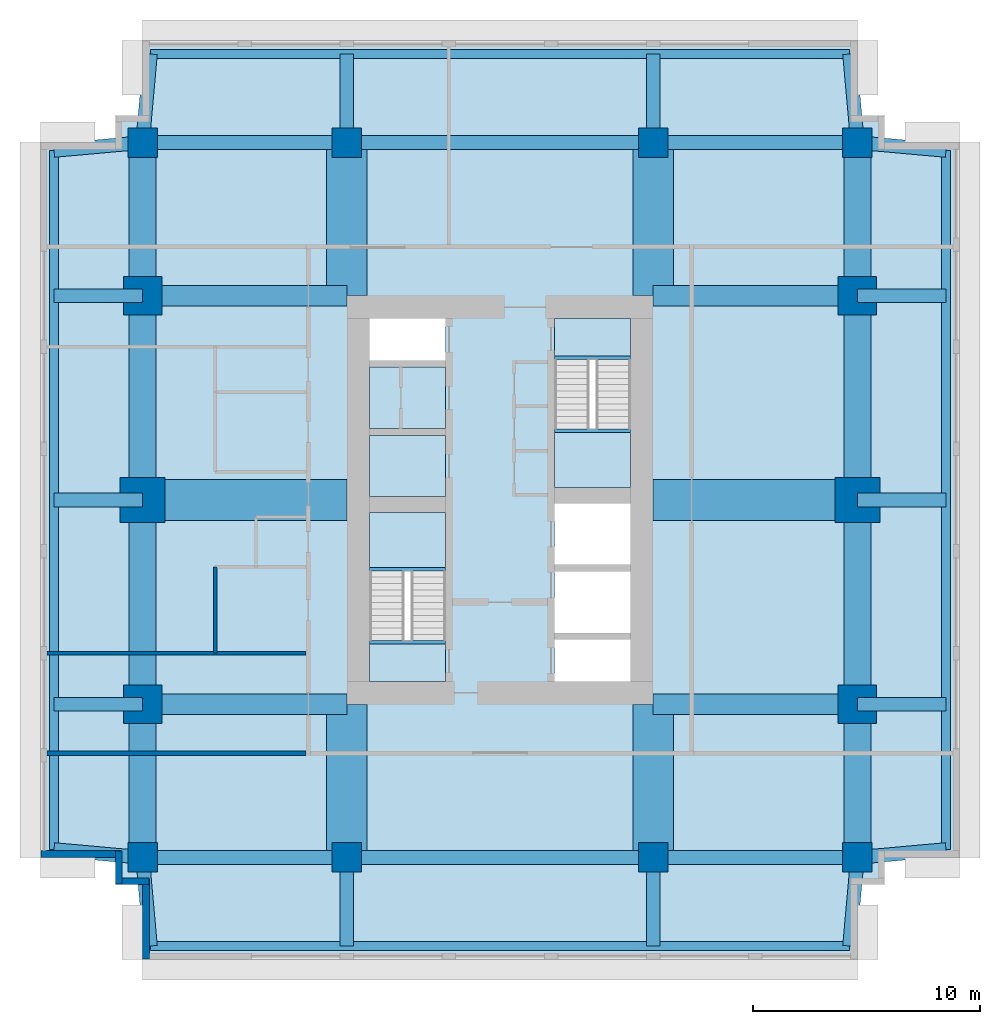
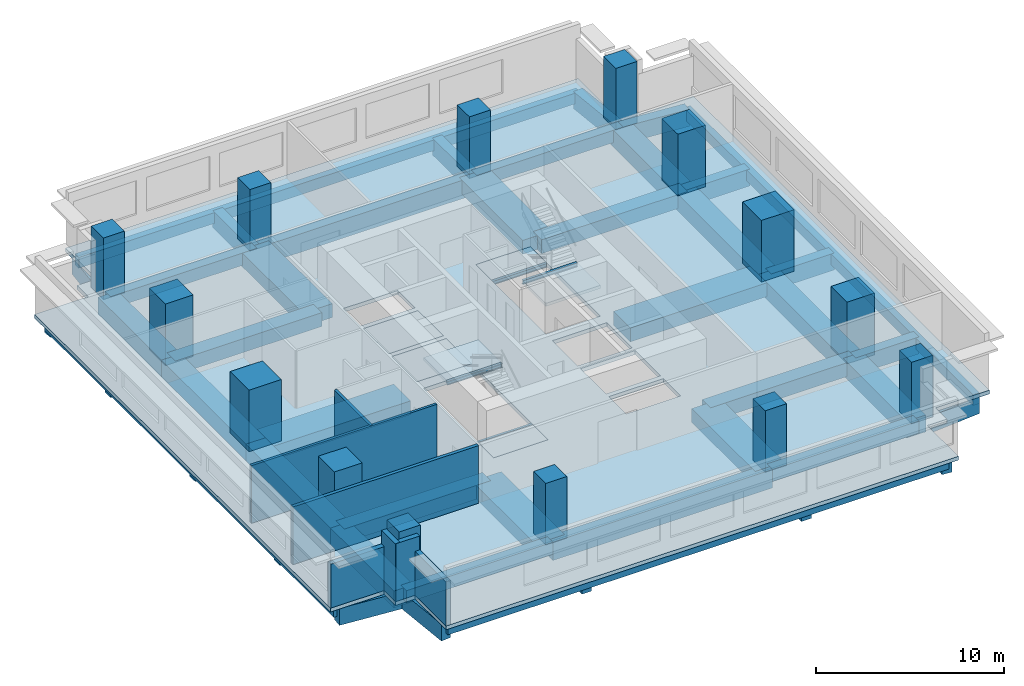
# One storey, part 1 of 5: 50 beams, 14 columns, 7 slabs, 7 walls, 2 elements without a shape of their own.
"""IFC4 building model written with IfcOpenShell, lengths in metres."""

from ifc_helpers import new_model, si_unit, direction, frame, frame_2d, origin, origin_2d, place, context, subcontext, project, spatial, polyline, rectangle, i_section, outline, extrude, material, layer, layer_set, material_profile, profile_set, type_object, element, aggregate, save


model = new_model("IFC4")

# Units and contexts
model_context = context("Model", 3, precision=1e-05, world=origin(), true_north=direction((0.0, 1.0)))
body_context = subcontext(model_context, "Body", "Model", "MODEL_VIEW")
ifc_project = project(units=[si_unit("LENGTHUNIT", "METRE"), si_unit("AREAUNIT", "SQUARE_METRE"), si_unit("VOLUMEUNIT", "CUBIC_METRE"), si_unit("PLANEANGLEUNIT", "RADIAN"), si_unit("MASSUNIT", "GRAM", prefix="KILO")], contexts=[model_context])

# Site, building, storey
site_placement = place(None, origin())
site = spatial("IfcSite", under=ifc_project, at=site_placement, CompositionType="ELEMENT")
building_placement = place(site_placement, origin())
building = spatial("IfcBuilding", under=site, at=building_placement, Name="Namib Vertical Campus", CompositionType="ELEMENT")
storey_placement = place(building_placement, frame((0.0, 0.0, 289.0)))
storey = spatial("IfcBuildingStorey", under=building, at=storey_placement, Name="L68", CompositionType="ELEMENT", Elevation=289.0)

# Columns
ifc_material_1 = material(Name="Concrete C60/75", Category="concrete")
ifc_material_profile_1 = material_profile(ifc_material_1, rectangle(XDim=1.300048828125, YDim=1.300048828125, at=origin_2d()))
ifc_profile_set_1 = profile_set([ifc_material_profile_1], Name="Concrete C60/75")
column_type_1 = type_object("IfcColumnType", Name="Column RC 1300x1300", PredefinedType="COLUMN", material=ifc_profile_set_1)
for number, where, z_axis, x_axis, name in (
    (1, (4.5, 4.5, 0.0), (0.0, 0.0, 1.0), (1.0, 0.0, 0.0), "Column C130 L68"),
    (2, (13.5, 4.5, 0.0), (0.0, 0.0, 1.0), (1.0, 0.0, 0.0), "Column C130 L68"),
    (3, (27.0, 4.5, 0.0), (0.0, 0.0, 1.0), (1.0, 0.0, 0.0), "Column C130 L68"),
    (4, (36.0, 4.5, 0.0), (0.0, 0.0, 1.0), (1.0, 0.0, 0.0), "Column C130 L68"),
    (5, (4.5, 36.0, 0.0), (0.0, 0.0, 1.0), (1.0, 0.0, 0.0), "Column C130 L68"),
    (6, (13.5, 36.0, 0.0), (0.0, 0.0, 1.0), (1.0, 0.0, 0.0), "Column C130 L68"),
    (7, (27.0, 36.0, 0.0), (0.0, 0.0, 1.0), (1.0, 0.0, 0.0), "Column C130 L68"),
    (8, (36.0, 36.0, 0.0), (0.0, 0.0, 1.0), (1.0, 0.0, 0.0), "Column C130 L68"),
):
    element("IfcColumn", number, at=place(storey_placement, frame(where, z_axis=z_axis, x_axis=x_axis)), inside=storey, type_object=column_type_1, Name=name, PredefinedType="COLUMN", context=body_context, shape_type="SweptSolid", body=[
        extrude(rectangle(XDim=1.300048828125, YDim=1.300048828125, at=origin_2d()), origin(), (0.0, 0.0, 1.0), 4.0),
    ])
ifc_material_2 = material(Name="Concrete C60/75", Category="concrete")
ifc_material_profile_2 = material_profile(ifc_material_2, rectangle(XDim=1.699951171875, YDim=1.699951171875, at=origin_2d()))
ifc_profile_set_2 = profile_set([ifc_material_profile_2], Name="Concrete C60/75")
column_type_2 = type_object("IfcColumnType", Name="Column RC 1700x1700", PredefinedType="COLUMN", material=ifc_profile_set_2)
for number, where, z_axis, x_axis, name in (
    (9, (4.5, 11.25, 0.0), (0.0, 0.0, 1.0), (1.0, 0.0, 0.0), "Column C170 L68"),
    (10, (36.0, 11.25, 0.0), (0.0, 0.0, 1.0), (1.0, 0.0, 0.0), "Column C170 L68"),
    (11, (4.5, 29.25, 0.0), (0.0, 0.0, 1.0), (1.0, 0.0, 0.0), "Column C170 L68"),
    (12, (36.0, 29.25, 0.0), (0.0, 0.0, 1.0), (1.0, 0.0, 0.0), "Column C170 L68"),
):
    element("IfcColumn", number, at=place(storey_placement, frame(where, z_axis=z_axis, x_axis=x_axis)), inside=storey, type_object=column_type_2, Name=name, PredefinedType="COLUMN", context=body_context, shape_type="SweptSolid", body=[
        extrude(rectangle(XDim=1.699951171875, YDim=1.699951171875, at=origin_2d()), origin(), (0.0, 0.0, 1.0), 4.0),
    ])
ifc_material_3 = material(Name="Concrete C60/75", Category="concrete")
ifc_material_profile_3 = material_profile(ifc_material_3, rectangle(XDim=2.0, YDim=2.0, at=origin_2d()))
ifc_profile_set_3 = profile_set([ifc_material_profile_3], Name="Concrete C60/75")
column_type_3 = type_object("IfcColumnType", Name="Column RC 2000x2000", PredefinedType="COLUMN", material=ifc_profile_set_3)
for number, where, z_axis, x_axis, name in (
    (13, (4.5, 20.25, 0.0), (0.0, 0.0, 1.0), (1.0, 0.0, 0.0), "Column C200 L68"),
    (14, (36.0, 20.25, 0.0), (0.0, 0.0, 1.0), (1.0, 0.0, 0.0), "Column C200 L68"),
):
    element("IfcColumn", number, at=place(storey_placement, frame(where, z_axis=z_axis, x_axis=x_axis)), inside=storey, type_object=column_type_3, Name=name, PredefinedType="COLUMN", context=body_context, shape_type="SweptSolid", body=[
        extrude(rectangle(XDim=2.0, YDim=2.0, at=origin_2d()), origin(), (0.0, 0.0, 1.0), 4.0),
    ])

# Beams
ifc_material_4 = material(Name="Concrete C40/50", Category="concrete")
ifc_material_profile_4 = material_profile(ifc_material_4, rectangle(XDim=0.39990234375, YDim=0.699951171875, at=origin_2d()))
ifc_profile_set_4 = profile_set([ifc_material_profile_4], Name="Concrete C40/50")
beam_type_1 = type_object("IfcBeamType", Name="Edge beam RC 400x700", PredefinedType="SPANDREL", material=ifc_profile_set_4)
for number, where, z_axis, x_axis, name in (
    (15, (4.85009765625, 0.60009765625, -0.60009765625), (1.0, 0.0, 0.0), (0.0, 1.0, 0.0), "Beam B4 L68"),
    (16, (4.85009765625, 39.89990234375, -0.60009765625), (1.0, 0.0, 0.0), (0.0, 1.0, 0.0), "Beam B4 L68"),
    (17, (0.60009765625, 4.85009765625, -0.60009765625), (0.0, 1.0, 0.0), (-1.0, 0.0, 0.0), "Beam B4 L68"),
    (18, (39.89990234375, 4.85009765625, -0.60009765625), (0.0, 1.0, 0.0), (-1.0, 0.0, 0.0), "Beam B4 L68"),
):
    element("IfcBeam", number, at=place(storey_placement, frame(where, z_axis=z_axis, x_axis=x_axis)), inside=storey, type_object=beam_type_1, Name=name, PredefinedType="SPANDREL", context=body_context, shape_type="SweptSolid", body=[
        extrude(rectangle(XDim=0.39990234375, YDim=0.699951171875, at=origin_2d()), origin(), (0.0, 0.0, 1.0), 30.7998046875),
    ])
ifc_material_5 = material(Name="Concrete C40/50", Category="concrete")
ifc_material_profile_5 = material_profile(ifc_material_5, rectangle(XDim=0.89990234375, YDim=0.89990234375, at=origin_2d()))
ifc_profile_set_5 = profile_set([ifc_material_profile_5], Name="Concrete C40/50")
beam_type_2 = type_object("IfcBeamType", Name="Face girder RC 900x900", PredefinedType="BEAM", material=ifc_profile_set_5)
for number, where, z_axis, x_axis, name in (
    (19, (4.5, 11.25, -0.699951171875), (1.0, 0.0, 0.0), (0.0, 1.0, 0.0), "Beam B10 L68"),
    (20, (36.0, 11.25, -0.699951171875), (-1.0, 0.0, 0.0), (0.0, -1.0, 0.0), "Beam B10 L68"),
    (21, (4.5, 29.25, -0.699951171875), (1.0, 0.0, 0.0), (0.0, 1.0, 0.0), "Beam B10 L68"),
    (22, (36.0, 29.25, -0.699951171875), (-1.0, 0.0, 0.0), (0.0, -1.0, 0.0), "Beam B10 L68"),
):
    element("IfcBeam", number, at=place(storey_placement, frame(where, z_axis=z_axis, x_axis=x_axis)), inside=storey, type_object=beam_type_2, Name=name, PredefinedType="BEAM", context=body_context, shape_type="SweptSolid", body=[
        extrude(rectangle(XDim=0.89990234375, YDim=0.89990234375, at=origin_2d()), origin(), (0.0, 0.0, 1.0), 9.0),
    ])
ifc_material_6 = material(Name="Concrete C40/50", Category="concrete")
ifc_material_profile_6 = material_profile(ifc_material_6, rectangle(XDim=1.199951171875, YDim=1.10009765625, at=origin_2d()))
ifc_profile_set_6 = profile_set([ifc_material_profile_6], Name="Concrete C40/50")
beam_type_3 = type_object("IfcBeamType", Name="Face ring beam RC 1200x1100", PredefinedType="BEAM", material=ifc_profile_set_6)
beam_1_placement = place(storey_placement, frame((4.5, 4.5, -0.800048828125), z_axis=(0.0, 1.0, 0.0), x_axis=(-1.0, 0.0, 0.0)))
element("IfcBeam", 23, at=beam_1_placement, inside=storey, type_object=beam_type_3, Name="Beam B11 L68", PredefinedType="BEAM", context=body_context, shape_type="SweptSolid", body=[
    extrude(rectangle(XDim=1.199951171875, YDim=1.10009765625, at=origin_2d()), origin(), (0.0, 0.0, 1.0), 6.75),
])
for number, where, z_axis, x_axis, name in (
    (24, (4.5, 11.25, -0.800048828125), (0.0, 1.0, 0.0), (-1.0, 0.0, 0.0), "Beam B11 L68"),
    (25, (4.5, 20.25, -0.800048828125), (0.0, 1.0, 0.0), (-1.0, 0.0, 0.0), "Beam B11 L68"),
):
    element("IfcBeam", number, at=place(storey_placement, frame(where, z_axis=z_axis, x_axis=x_axis)), inside=storey, type_object=beam_type_3, Name=name, PredefinedType="BEAM", context=body_context, shape_type="SweptSolid", body=[
        extrude(rectangle(XDim=1.199951171875, YDim=1.10009765625, at=origin_2d()), origin(), (0.0, 0.0, 1.0), 9.0),
    ])
for number, where, z_axis, x_axis, name in (
    (26, (4.5, 29.25, -0.800048828125), (0.0, 1.0, 0.0), (-1.0, 0.0, 0.0), "Beam B11 L68"),
    (27, (36.0, 4.5, -0.800048828125), (0.0, 1.0, 0.0), (-1.0, 0.0, 0.0), "Beam B11 L68"),
):
    element("IfcBeam", number, at=place(storey_placement, frame(where, z_axis=z_axis, x_axis=x_axis)), inside=storey, type_object=beam_type_3, Name=name, PredefinedType="BEAM", context=body_context, shape_type="SweptSolid", body=[
        extrude(rectangle(XDim=1.199951171875, YDim=1.10009765625, at=origin_2d()), origin(), (0.0, 0.0, 1.0), 6.75),
    ])
for number, where, z_axis, x_axis, name in (
    (28, (36.0, 11.25, -0.800048828125), (0.0, 1.0, 0.0), (-1.0, 0.0, 0.0), "Beam B11 L68"),
    (29, (36.0, 20.25, -0.800048828125), (0.0, 1.0, 0.0), (-1.0, 0.0, 0.0), "Beam B11 L68"),
):
    element("IfcBeam", number, at=place(storey_placement, frame(where, z_axis=z_axis, x_axis=x_axis)), inside=storey, type_object=beam_type_3, Name=name, PredefinedType="BEAM", context=body_context, shape_type="SweptSolid", body=[
        extrude(rectangle(XDim=1.199951171875, YDim=1.10009765625, at=origin_2d()), origin(), (0.0, 0.0, 1.0), 9.0),
    ])
beam_2_placement = place(storey_placement, frame((36.0, 29.25, -0.800048828125), z_axis=(0.0, 1.0, 0.0), x_axis=(-1.0, 0.0, 0.0)))
element("IfcBeam", 30, at=beam_2_placement, inside=storey, type_object=beam_type_3, Name="Beam B11 L68", PredefinedType="BEAM", context=body_context, shape_type="SweptSolid", body=[
    extrude(rectangle(XDim=1.199951171875, YDim=1.10009765625, at=origin_2d()), origin(), (0.0, 0.0, 1.0), 6.75),
])
ifc_material_7 = material(Name="Steel S355JR", Category="steel")
ifc_material_profile_7 = material_profile(ifc_material_7, i_section(OverallWidth=0.14599609375, OverallDepth=0.25146484375, WebThickness=0.006103515625, FlangeThickness=0.008544921875, FilletRadius=0.007568359375, at=origin_2d()))
ifc_profile_set_7 = profile_set([ifc_material_profile_7], Name="Steel S355JR")
beam_type_4 = type_object("IfcBeamType", Name="Landing trimmer UB 254x146x31", PredefinedType="BEAM", material=ifc_profile_set_7)
for number, where, z_axis, x_axis, name in (
    (31, (14.5, 13.97705078125, -0.125732421875), (1.0, 0.0, 0.0), (0.0, 1.0, 0.0), "Landing trimmer LT1 A-S1 L68 1"),
    (32, (14.5, 17.203125, 1.874267578125), (1.0, 0.0, 0.0), (0.0, 1.0, 0.0), "Landing trimmer LT1 A-S1 L68 2"),
    (33, (22.64990234375, 26.52294921875, -0.125732421875), (1.0, 0.0, 0.0), (0.0, 1.0, 0.0), "Landing trimmer LT1 A-S2 L68 1"),
    (34, (22.64990234375, 23.296875, 1.874267578125), (1.0, 0.0, 0.0), (0.0, 1.0, 0.0), "Landing trimmer LT1 A-S2 L68 2"),
):
    element("IfcBeam", number, at=place(storey_placement, frame(where, z_axis=z_axis, x_axis=x_axis)), inside=storey, type_object=beam_type_4, Name=name, PredefinedType="BEAM", context=body_context, shape_type="SweptSolid", body=[
        extrude(i_section(OverallWidth=0.14599609375, OverallDepth=0.25146484375, WebThickness=0.006103515625, FlangeThickness=0.008544921875, FilletRadius=0.007568359375, at=origin_2d()), origin(), (0.0, 0.0, 1.0), 3.35009765625),
    ])
ifc_material_8 = material(Name="Concrete C40/50", Category="concrete")
ifc_material_profile_8 = material_profile(ifc_material_8, rectangle(XDim=0.60009765625, YDim=1.199951171875, at=origin_2d()))
ifc_profile_set_8 = profile_set([ifc_material_profile_8], Name="Concrete C40/50")
beam_type_5 = type_object("IfcBeamType", Name="Long-span ring beam RC 600x1200", PredefinedType="BEAM", material=ifc_profile_set_8)
for number, where, z_axis, x_axis, name in (
    (35, (13.5, 4.5, -0.85009765625), (1.0, 0.0, 0.0), (0.0, 1.0, 0.0), "Beam B9 L68"),
    (36, (13.5, 36.0, -0.85009765625), (1.0, 0.0, 0.0), (0.0, 1.0, 0.0), "Beam B9 L68"),
):
    element("IfcBeam", number, at=place(storey_placement, frame(where, z_axis=z_axis, x_axis=x_axis)), inside=storey, type_object=beam_type_5, Name=name, PredefinedType="BEAM", context=body_context, shape_type="SweptSolid", body=[
        extrude(rectangle(XDim=0.60009765625, YDim=1.199951171875, at=origin_2d()), origin(), (0.0, 0.0, 1.0), 13.5),
    ])
ifc_material_9 = material(Name="Concrete C40/50", Category="concrete")
ifc_material_profile_9 = material_profile(ifc_material_9, rectangle(XDim=1.800048828125, YDim=0.89990234375, at=origin_2d()))
ifc_profile_set_9 = profile_set([ifc_material_profile_9], Name="Concrete C40/50")
beam_type_6 = type_object("IfcBeamType", Name="Outrigger line girder RC 1800x900", PredefinedType="BEAM", material=ifc_profile_set_9)
for number, where, z_axis, x_axis, name in (
    (37, (13.5, 4.5, -0.699951171875), (0.0, 1.0, 0.0), (-1.0, 0.0, 0.0), "Beam B12 L68"),
    (38, (13.5, 36.0, -0.699951171875), (0.0, -1.0, 0.0), (1.0, 0.0, 0.0), "Beam B12 L68"),
    (39, (27.0, 4.5, -0.699951171875), (0.0, 1.0, 0.0), (-1.0, 0.0, 0.0), "Beam B12 L68"),
    (40, (27.0, 36.0, -0.699951171875), (0.0, -1.0, 0.0), (1.0, 0.0, 0.0), "Beam B12 L68"),
):
    element("IfcBeam", number, at=place(storey_placement, frame(where, z_axis=z_axis, x_axis=x_axis)), inside=storey, type_object=beam_type_6, Name=name, PredefinedType="BEAM", context=body_context, shape_type="SweptSolid", body=[
        extrude(rectangle(XDim=1.800048828125, YDim=0.89990234375, at=origin_2d()), origin(), (0.0, 0.0, 1.0), 6.75),
    ])
for number, where, z_axis, x_axis, name in (
    (41, (4.5, 20.25, -0.699951171875), (1.0, 0.0, 0.0), (0.0, 1.0, 0.0), "Beam B12 L68"),
    (42, (36.0, 20.25, -0.699951171875), (-1.0, 0.0, 0.0), (0.0, -1.0, 0.0), "Beam B12 L68"),
):
    element("IfcBeam", number, at=place(storey_placement, frame(where, z_axis=z_axis, x_axis=x_axis)), inside=storey, type_object=beam_type_6, Name=name, PredefinedType="BEAM", context=body_context, shape_type="SweptSolid", body=[
        extrude(rectangle(XDim=1.800048828125, YDim=0.89990234375, at=origin_2d()), origin(), (0.0, 0.0, 1.0), 9.0),
    ])
ifc_material_10 = material(Name="Concrete C40/50", Category="concrete")
ifc_material_profile_10 = material_profile(ifc_material_10, rectangle(XDim=0.60009765625, YDim=1.10009765625, at=origin_2d()))
ifc_profile_set_10 = profile_set([ifc_material_profile_10], Name="Concrete C40/50")
beam_type_7 = type_object("IfcBeamType", Name="Plant floor cantilever girder RC 600x1100", PredefinedType="BEAM", material=ifc_profile_set_10)
beam_3_placement = place(storey_placement, frame((4.5, 4.5, -0.800048828125), z_axis=(0.089411326146, -0.995994786511, 0.0), x_axis=(0.995994786511, 0.089411326146, 0.0)))
element("IfcBeam", 43, at=beam_3_placement, inside=storey, type_object=beam_type_7, Name="Beam B7 L68", PredefinedType="BEAM", context=body_context, shape_type="SweptSolid", body=[
    extrude(rectangle(XDim=0.60009765625, YDim=1.10009765625, at=origin_2d()), origin(), (0.0, 0.0, 1.0), 3.91552734375),
])
for number, where, z_axis, x_axis, name in (
    (44, (13.5, 4.5, -0.800048828125), (0.0, -1.0, 0.0), (1.0, 0.0, 0.0), "Beam B7 L68"),
    (45, (27.0, 4.5, -0.800048828125), (0.0, -1.0, 0.0), (1.0, 0.0, 0.0), "Beam B7 L68"),
):
    element("IfcBeam", number, at=place(storey_placement, frame(where, z_axis=z_axis, x_axis=x_axis)), inside=storey, type_object=beam_type_7, Name=name, PredefinedType="BEAM", context=body_context, shape_type="SweptSolid", body=[
        extrude(rectangle(XDim=0.60009765625, YDim=1.10009765625, at=origin_2d()), origin(), (0.0, 0.0, 1.0), 3.89990234375),
    ])
for number, where, z_axis, x_axis, name in (
    (46, (36.0, 4.5, -0.800048828125), (-0.089411326146, -0.995994786511, 0.0), (0.995994786511, -0.089411326146, 0.0), "Beam B7 L68"),
    (47, (4.5, 36.0, -0.800048828125), (0.089411326146, 0.995994786511, 0.0), (-0.995994786511, 0.089411326146, 0.0), "Beam B7 L68"),
):
    element("IfcBeam", number, at=place(storey_placement, frame(where, z_axis=z_axis, x_axis=x_axis)), inside=storey, type_object=beam_type_7, Name=name, PredefinedType="BEAM", context=body_context, shape_type="SweptSolid", body=[
        extrude(rectangle(XDim=0.60009765625, YDim=1.10009765625, at=origin_2d()), origin(), (0.0, 0.0, 1.0), 3.91552734375),
    ])
for number, where, z_axis, x_axis, name in (
    (48, (13.5, 36.0, -0.800048828125), (0.0, 1.0, 0.0), (-1.0, 0.0, 0.0), "Beam B7 L68"),
    (49, (27.0, 36.0, -0.800048828125), (0.0, 1.0, 0.0), (-1.0, 0.0, 0.0), "Beam B7 L68"),
):
    element("IfcBeam", number, at=place(storey_placement, frame(where, z_axis=z_axis, x_axis=x_axis)), inside=storey, type_object=beam_type_7, Name=name, PredefinedType="BEAM", context=body_context, shape_type="SweptSolid", body=[
        extrude(rectangle(XDim=0.60009765625, YDim=1.10009765625, at=origin_2d()), origin(), (0.0, 0.0, 1.0), 3.89990234375),
    ])
for number, where, z_axis, x_axis, name in (
    (50, (36.0, 36.0, -0.800048828125), (-0.089411326146, 0.995994786511, 0.0), (-0.995994786511, -0.089411326146, 0.0), "Beam B7 L68"),
    (51, (4.5, 4.5, -0.800048828125), (-0.995994786511, 0.089411326146, 0.0), (-0.089411326146, -0.995994786511, 0.0), "Beam B7 L68"),
):
    element("IfcBeam", number, at=place(storey_placement, frame(where, z_axis=z_axis, x_axis=x_axis)), inside=storey, type_object=beam_type_7, Name=name, PredefinedType="BEAM", context=body_context, shape_type="SweptSolid", body=[
        extrude(rectangle(XDim=0.60009765625, YDim=1.10009765625, at=origin_2d()), origin(), (0.0, 0.0, 1.0), 3.91552734375),
    ])
for number, where, z_axis, x_axis, name in (
    (52, (4.5, 11.25, -0.800048828125), (-1.0, 0.0, 0.0), (0.0, -1.0, 0.0), "Beam B7 L68"),
    (53, (4.5, 20.25, -0.800048828125), (-1.0, 0.0, 0.0), (0.0, -1.0, 0.0), "Beam B7 L68"),
    (54, (4.5, 29.25, -0.800048828125), (-1.0, 0.0, 0.0), (0.0, -1.0, 0.0), "Beam B7 L68"),
):
    element("IfcBeam", number, at=place(storey_placement, frame(where, z_axis=z_axis, x_axis=x_axis)), inside=storey, type_object=beam_type_7, Name=name, PredefinedType="BEAM", context=body_context, shape_type="SweptSolid", body=[
        extrude(rectangle(XDim=0.60009765625, YDim=1.10009765625, at=origin_2d()), origin(), (0.0, 0.0, 1.0), 3.89990234375),
    ])
for number, where, z_axis, x_axis, name in (
    (55, (4.5, 36.0, -0.800048828125), (-0.995994786511, -0.089411326146, 0.0), (0.089411326146, -0.995994786511, 0.0), "Beam B7 L68"),
    (56, (36.0, 4.5, -0.800048828125), (0.995994786511, 0.089411326146, 0.0), (-0.089411326146, 0.995994786511, 0.0), "Beam B7 L68"),
):
    element("IfcBeam", number, at=place(storey_placement, frame(where, z_axis=z_axis, x_axis=x_axis)), inside=storey, type_object=beam_type_7, Name=name, PredefinedType="BEAM", context=body_context, shape_type="SweptSolid", body=[
        extrude(rectangle(XDim=0.60009765625, YDim=1.10009765625, at=origin_2d()), origin(), (0.0, 0.0, 1.0), 3.91552734375),
    ])
for number, where, z_axis, x_axis, name in (
    (57, (36.0, 11.25, -0.800048828125), (1.0, 0.0, 0.0), (0.0, 1.0, 0.0), "Beam B7 L68"),
    (58, (36.0, 20.25, -0.800048828125), (1.0, 0.0, 0.0), (0.0, 1.0, 0.0), "Beam B7 L68"),
    (59, (36.0, 29.25, -0.800048828125), (1.0, 0.0, 0.0), (0.0, 1.0, 0.0), "Beam B7 L68"),
):
    element("IfcBeam", number, at=place(storey_placement, frame(where, z_axis=z_axis, x_axis=x_axis)), inside=storey, type_object=beam_type_7, Name=name, PredefinedType="BEAM", context=body_context, shape_type="SweptSolid", body=[
        extrude(rectangle(XDim=0.60009765625, YDim=1.10009765625, at=origin_2d()), origin(), (0.0, 0.0, 1.0), 3.89990234375),
    ])
beam_4_placement = place(storey_placement, frame((36.0, 36.0, -0.800048828125), z_axis=(0.995994786511, -0.089411326146, 0.0), x_axis=(0.089411326146, 0.995994786511, 0.0)))
element("IfcBeam", 60, at=beam_4_placement, inside=storey, type_object=beam_type_7, Name="Beam B7 L68", PredefinedType="BEAM", context=body_context, shape_type="SweptSolid", body=[
    extrude(rectangle(XDim=0.60009765625, YDim=1.10009765625, at=origin_2d()), origin(), (0.0, 0.0, 1.0), 3.91552734375),
])
ifc_material_11 = material(Name="Concrete C40/50", Category="concrete")
ifc_material_profile_11 = material_profile(ifc_material_11, rectangle(XDim=0.60009765625, YDim=0.800048828125, at=origin_2d()))
ifc_profile_set_11 = profile_set([ifc_material_profile_11], Name="Concrete C40/50")
beam_type_8 = type_object("IfcBeamType", Name="Ring beam RC 600x800", PredefinedType="BEAM", material=ifc_profile_set_11)
for number, where, z_axis, x_axis, name in (
    (61, (4.5, 4.5, -0.64990234375), (1.0, 0.0, 0.0), (0.0, 1.0, 0.0), "Beam B1 L68"),
    (62, (27.0, 4.5, -0.64990234375), (1.0, 0.0, 0.0), (0.0, 1.0, 0.0), "Beam B1 L68"),
    (63, (4.5, 36.0, -0.64990234375), (1.0, 0.0, 0.0), (0.0, 1.0, 0.0), "Beam B1 L68"),
    (64, (27.0, 36.0, -0.64990234375), (1.0, 0.0, 0.0), (0.0, 1.0, 0.0), "Beam B1 L68"),
):
    element("IfcBeam", number, at=place(storey_placement, frame(where, z_axis=z_axis, x_axis=x_axis)), inside=storey, type_object=beam_type_8, Name=name, PredefinedType="BEAM", context=body_context, shape_type="SweptSolid", body=[
        extrude(rectangle(XDim=0.60009765625, YDim=0.800048828125, at=origin_2d()), origin(), (0.0, 0.0, 1.0), 9.0),
    ])

# Slabs
ifc_material_12 = material(Name="Concrete C40/50", Category="concrete")
ifc_layer_1 = layer(ifc_material_12, 0.25)
ifc_layer_set_1 = layer_set([ifc_layer_1], Name="Concrete C40/50")
slab_type_1 = type_object("IfcSlabType", Name="Floor slab 250", PredefinedType="FLOOR", material=ifc_layer_set_1)
slab_1_placement = place(storey_placement, frame((0.0, 0.0, -0.25)))
element("IfcSlab", 65, at=slab_1_placement, inside=storey, type_object=slab_type_1, Name="Floor slab A L68", PredefinedType="FLOOR", context=body_context, shape_type="SweptSolid", body=[
    extrude(outline(polyline([(4.5, 0.0), (36.0, 0.0), (36.0, 3.300048828125), (37.199951171875, 3.300048828125), (37.199951171875, 4.5), (40.5, 4.5), (40.5, 36.0), (37.199951171875, 36.0), (37.199951171875, 37.199951171875), (36.0, 37.199951171875), (36.0, 40.5), (4.5, 40.5), (4.5, 37.199951171875), (3.300048828125, 37.199951171875), (3.300048828125, 36.0), (0.0, 36.0), (0.0, 4.5), (3.300048828125, 4.5), (3.300048828125, 3.300048828125), (4.5, 3.300048828125), (4.5, 0.0)]), holes=[polyline([(14.5, 12.25), (17.85009765625, 12.25), (17.85009765625, 19.699951171875), (14.5, 19.699951171875), (14.5, 12.25)]), polyline([(22.64990234375, 20.800048828125), (26.0, 20.800048828125), (26.0, 28.25), (22.64990234375, 28.25), (22.64990234375, 20.800048828125)]), polyline([(22.64990234375, 12.25), (26.0, 12.25), (26.0, 14.10009765625), (22.64990234375, 14.10009765625), (22.64990234375, 12.25)]), polyline([(14.5, 20.39990234375), (17.85009765625, 20.39990234375), (17.85009765625, 23.10009765625), (14.5, 23.10009765625), (14.5, 20.39990234375)]), polyline([(14.5, 23.39990234375), (17.85009765625, 23.39990234375), (17.85009765625, 26.10009765625), (14.5, 26.10009765625), (14.5, 23.39990234375)]), polyline([(14.5, 26.39990234375), (17.85009765625, 26.39990234375), (17.85009765625, 28.25), (14.5, 28.25), (14.5, 26.39990234375)]), polyline([(22.64990234375, 14.39990234375), (26.0, 14.39990234375), (26.0, 17.10009765625), (22.64990234375, 17.10009765625), (22.64990234375, 14.39990234375)]), polyline([(22.64990234375, 17.39990234375), (26.0, 17.39990234375), (26.0, 20.10009765625), (22.64990234375, 20.10009765625), (22.64990234375, 17.39990234375)])]), origin(), (0.0, 0.0, 1.0), 0.25),
])
ifc_material_13 = material(Name="Concrete C40/50 precast", Category="concrete")
ifc_layer_2 = layer(ifc_material_13, 0.25)
ifc_layer_set_2 = layer_set([ifc_layer_2], Name="Concrete C40/50 precast")
slab_type_2 = type_object("IfcSlabType", Name="Shaft infill floor 250", PredefinedType="FLOOR", material=ifc_layer_set_2)
slab_2_placement = place(storey_placement, frame((0.0, 0.0, -0.25)))
element("IfcSlab", 66, at=slab_2_placement, inside=storey, type_object=slab_type_2, Name="Shaft infill floor A L68 P1", PredefinedType="FLOOR", context=body_context, shape_type="SweptSolid", body=[
    extrude(outline(polyline([(14.5, 20.39990234375), (17.85009765625, 20.39990234375), (17.85009765625, 23.10009765625), (14.5, 23.10009765625), (14.5, 20.39990234375)])), origin(), (0.0, 0.0, 1.0), 0.25),
])
slab_3_placement = place(storey_placement, frame((0.0, 0.0, -0.25)))
element("IfcSlab", 67, at=slab_3_placement, inside=storey, type_object=slab_type_2, Name="Shaft infill floor A L68 P2", PredefinedType="FLOOR", context=body_context, shape_type="SweptSolid", body=[
    extrude(outline(polyline([(14.5, 23.39990234375), (17.85009765625, 23.39990234375), (17.85009765625, 26.10009765625), (14.5, 26.10009765625), (14.5, 23.39990234375)])), origin(), (0.0, 0.0, 1.0), 0.25),
])

# Stair, slabs
ifc_material_14 = material(Name="Concrete C40/50 precast", Category="concrete")
stair_type = type_object("IfcStairType", Name="Exit stair 4000 rise 24 risers 3350 wide", PredefinedType="HALF_TURN_STAIR", material=ifc_material_14)
stair_1_placement = place(storey_placement, origin())
stair_1 = element("IfcStair", 68, at=stair_1_placement, inside=storey, type_object=stair_type, Name="Exit stair A-S1 L68", PredefinedType="HALF_TURN_STAIR")
ifc_material_15 = material(Name="Concrete C40/50", Category="concrete")
ifc_layer_3 = layer(ifc_material_15, 0.199951171875)
ifc_layer_set_3 = layer_set([ifc_layer_3], Name="Concrete C40/50")
slab_type_3 = type_object("IfcSlabType", Name="Stair landing 200", PredefinedType="LANDING", material=ifc_layer_set_3)
slab_4_placement = place(storey_placement, frame((0.0, 0.0, -0.199951171875)))
slab_4 = element("IfcSlab", 69, at=slab_4_placement, type_object=slab_type_3, Name="A-S1 landing 1", PredefinedType="LANDING", context=body_context, shape_type="SweptSolid", body=[
    extrude(outline(polyline([(14.5, 12.25), (17.85009765625, 12.25), (17.85009765625, 13.90380859375), (14.5, 13.90380859375), (14.5, 12.25)])), origin(), (0.0, 0.0, 1.0), 0.199951171875),
])
slab_5_placement = place(storey_placement, frame((0.0, 0.0, 1.800048828125)))
slab_5 = element("IfcSlab", 70, at=slab_5_placement, type_object=slab_type_3, Name="A-S1 landing 2", PredefinedType="LANDING", context=body_context, shape_type="SweptSolid", body=[
    extrude(outline(polyline([(14.5, 17.276123046875), (17.85009765625, 17.276123046875), (17.85009765625, 19.699951171875), (14.5, 19.699951171875), (14.5, 17.276123046875)])), origin(), (0.0, 0.0, 1.0), 0.199951171875),
])
aggregate(stair_1, [slab_4, slab_5])

stair_2_placement = place(storey_placement, origin())
stair_2 = element("IfcStair", 71, at=stair_2_placement, inside=storey, type_object=stair_type, Name="Exit stair A-S2 L68", PredefinedType="HALF_TURN_STAIR")
slab_6_placement = place(storey_placement, frame((0.0, 0.0, -0.199951171875)))
slab_6 = element("IfcSlab", 72, at=slab_6_placement, type_object=slab_type_3, Name="A-S2 landing 1", PredefinedType="LANDING", context=body_context, shape_type="SweptSolid", body=[
    extrude(outline(polyline([(22.64990234375, 26.59619140625), (26.0, 26.59619140625), (26.0, 28.25), (22.64990234375, 28.25), (22.64990234375, 26.59619140625)])), origin(), (0.0, 0.0, 1.0), 0.199951171875),
])
slab_7_placement = place(storey_placement, frame((0.0, 0.0, 1.800048828125)))
slab_7 = element("IfcSlab", 73, at=slab_7_placement, type_object=slab_type_3, Name="A-S2 landing 2", PredefinedType="LANDING", context=body_context, shape_type="SweptSolid", body=[
    extrude(outline(polyline([(22.64990234375, 20.800048828125), (26.0, 20.800048828125), (26.0, 23.223876953125), (22.64990234375, 23.223876953125), (22.64990234375, 20.800048828125)])), origin(), (0.0, 0.0, 1.0), 0.199951171875),
])
aggregate(stair_2, [slab_6, slab_7])

# Walls
ifc_material_16 = material(Name="Concrete masonry", Category="masonry")
ifc_layer_4 = layer(ifc_material_16, 0.199951171875)
ifc_layer_set_4 = layer_set([ifc_layer_4], Name="Corridor wall 200")
wall_type_1 = type_object("IfcWallType", Name="Corridor wall 200", PredefinedType="SOLIDWALL", material=ifc_layer_set_4)
wall_1_placement = place(storey_placement, frame((0.300048828125, 9.10009765625, 0.0), z_axis=(0.0, 0.0, 1.0), x_axis=(1.0, 0.0, 0.0)))
element("IfcWall", 74, at=wall_1_placement, inside=storey, type_object=wall_type_1, Name="Partition A L68 BSW", PredefinedType="SOLIDWALL", context=body_context, shape_type="SweptSolid", body=[
    extrude(rectangle(XDim=11.39990234375, YDim=0.199951171875, at=frame_2d((5.699951171875, 0.0))), origin(), (0.0, 0.0, 1.0), 3.75),
])
ifc_material_17 = material(Name="Concrete C40/50", Category="concrete")
ifc_layer_5 = layer(ifc_material_17, 0.300048828125)
ifc_layer_set_5 = layer_set([ifc_layer_5], Name="Concrete C40/50")
wall_type_2 = type_object("IfcWallType", Name="External wall 300 board-marked concrete", PredefinedType="STANDARD", material=ifc_layer_set_5)
wall_2_placement = place(storey_placement, frame((0.02001953125, 4.64990234375, 0.0), z_axis=(0.0, 0.0, 1.0), x_axis=(1.0, 0.0, 0.0)))
element("IfcWall", 75, at=wall_2_placement, inside=storey, type_object=wall_type_2, Name="External wall L68 F17", PredefinedType="STANDARD", context=body_context, shape_type="SweptSolid", body=[
    extrude(rectangle(XDim=3.56005859375, YDim=0.300048828125, at=frame_2d((1.780029296875, 0.0))), origin(), (0.0, 0.0, 1.0), 2.85009765625),
])
for number, where, z_axis, x_axis, name in (
    (76, (3.449951171875, 4.780029296875, 0.0), (0.0, 0.0, 1.0), (0.0, -1.0, 0.0), "External wall L68 F18"),
    (77, (3.320068359375, 3.449951171875, 0.0), (0.0, 0.0, 1.0), (1.0, 0.0, 0.0), "External wall L68 F19"),
):
    element("IfcWall", number, at=place(storey_placement, frame(where, z_axis=z_axis, x_axis=x_axis)), inside=storey, type_object=wall_type_2, Name=name, PredefinedType="STANDARD", context=body_context, shape_type="SweptSolid", body=[
        extrude(rectangle(XDim=1.4599609375, YDim=0.300048828125, at=frame_2d((0.72998046875, 0.0))), origin(), (0.0, 0.0, 1.0), 3.75),
    ])
wall_3_placement = place(storey_placement, frame((4.64990234375, 3.580078125, 0.0), z_axis=(0.0, 0.0, 1.0), x_axis=(0.0, -1.0, 0.0)))
element("IfcWall", 78, at=wall_3_placement, inside=storey, type_object=wall_type_2, Name="External wall L68 F20", PredefinedType="STANDARD", context=body_context, shape_type="SweptSolid", body=[
    extrude(rectangle(XDim=3.56005859375, YDim=0.300048828125, at=frame_2d((1.780029296875, 0.0))), origin(), (0.0, 0.0, 1.0), 2.85009765625),
])
ifc_material_18 = material(Name="Gypsum board on steel studs", Category="steel")
ifc_layer_6 = layer(ifc_material_18, 0.14990234375)
ifc_layer_set_6 = layer_set([ifc_layer_6], Name="Gypsum board on steel studs")
wall_type_3 = type_object("IfcWallType", Name="Partition 150", PredefinedType="PARTITIONING", material=ifc_layer_set_6)
wall_4_placement = place(storey_placement, frame((0.300048828125, 13.5, 0.0), z_axis=(0.0, 0.0, 1.0), x_axis=(1.0, 0.0, 0.0)))
element("IfcWall", 79, at=wall_4_placement, inside=storey, type_object=wall_type_3, Name="Partition A L68 PW1", PredefinedType="PARTITIONING", context=body_context, shape_type="SweptSolid", body=[
    extrude(rectangle(XDim=11.39990234375, YDim=0.14990234375, at=frame_2d((5.699951171875, 0.0))), origin(), (0.0, 0.0, 1.0), 3.75),
])
wall_5_placement = place(storey_placement, frame((7.699951171875, 13.5, 0.0), z_axis=(0.0, 0.0, 1.0), x_axis=(0.0, 1.0, 0.0)))
element("IfcWall", 80, at=wall_5_placement, inside=storey, type_object=wall_type_3, Name="Partition A L68 WB1", PredefinedType="PARTITIONING", context=body_context, shape_type="SweptSolid", body=[
    extrude(rectangle(XDim=3.800048828125, YDim=0.14990234375, at=frame_2d((1.89990234375, 0.0))), origin(), (0.0, 0.0, 1.0), 3.75),
])

save(model, "model.ifc")
